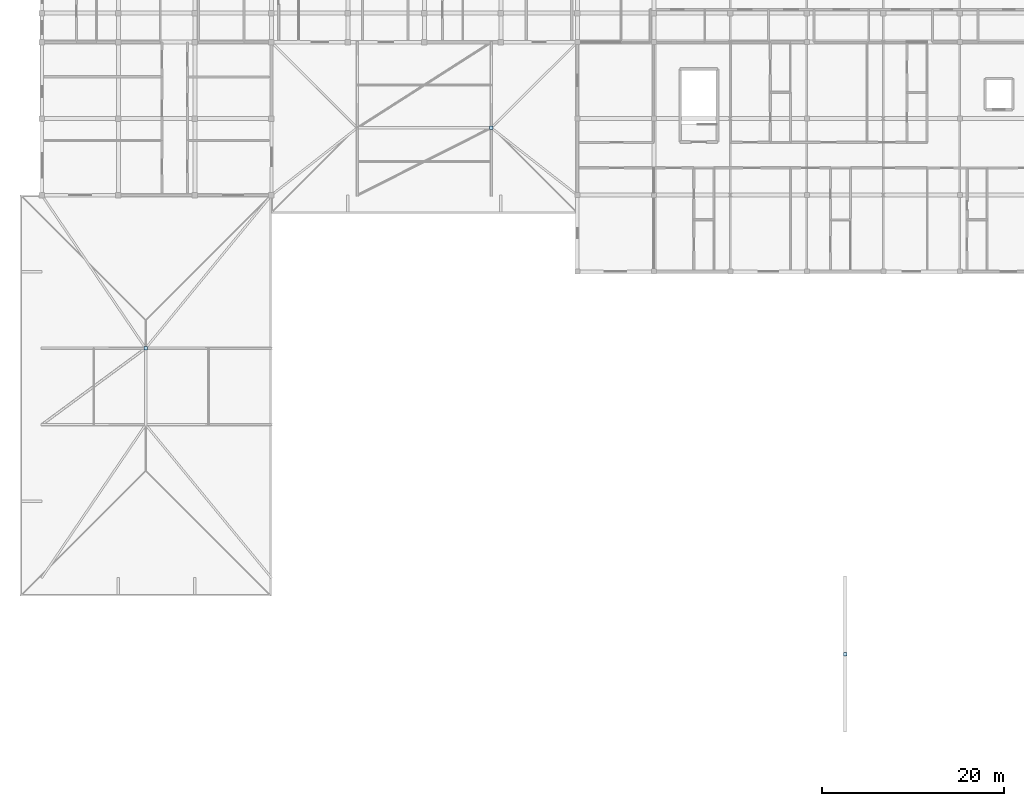
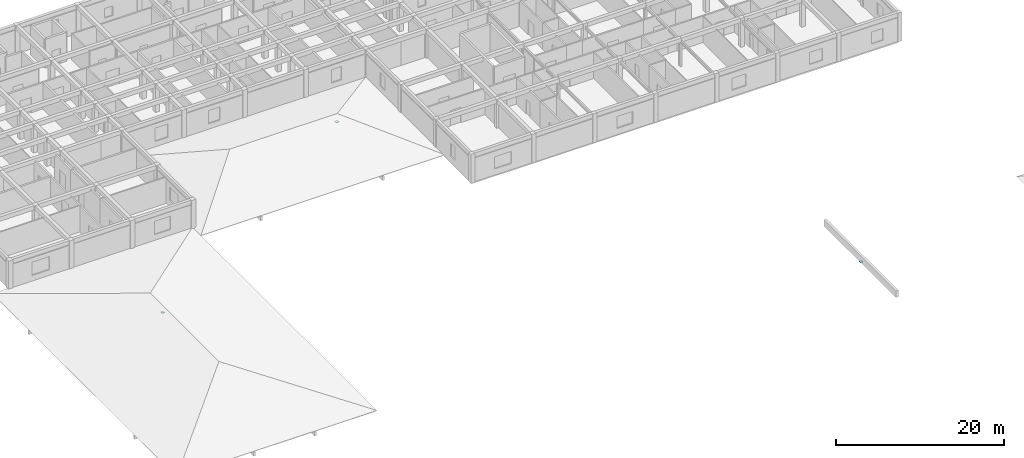
# One storey, part 12 of 42: 3 plates.
"""IFC4 building model written with IfcOpenShell, lengths in metres."""

from ifc_helpers import new_model, si_unit, direction, frame, origin, origin_2d, place, context, subcontext, project, spatial, rectangle, extrude, material, layer, layer_set, type_object, element, save


model = new_model("IFC4")

# Units and contexts
model_context = context("Model", 3, precision=1e-05, world=origin(), true_north=direction((0.0, 1.0)))
body_context = subcontext(model_context, "Body", "Model", "MODEL_VIEW")
ifc_project = project(units=[si_unit("LENGTHUNIT", "METRE"), si_unit("AREAUNIT", "SQUARE_METRE"), si_unit("VOLUMEUNIT", "CUBIC_METRE"), si_unit("PLANEANGLEUNIT", "RADIAN"), si_unit("MASSUNIT", "GRAM", prefix="KILO")], contexts=[model_context])

# Site, building, storey
site_placement = place(None, origin())
site = spatial("IfcSite", under=ifc_project, at=site_placement, CompositionType="ELEMENT")
building_placement = place(site_placement, origin())
building = spatial("IfcBuilding", under=site, at=building_placement, Name="Varncliffe General Hospital", CompositionType="ELEMENT")
storey_placement = place(building_placement, frame((0.0, 0.0, 20.39990234375)))
storey = spatial("IfcBuildingStorey", under=building, at=storey_placement, Name="L04", CompositionType="ELEMENT", Elevation=20.39990234375)

# Plates
ifc_material = material(Name="Steel S355 (CSA G40.21 350W)", Category="steel")
ifc_layer_1 = layer(ifc_material, 0.01611328125)
ifc_layer_set_1 = layer_set([ifc_layer_1], Name="Steel S355 (CSA G40.21 350W)")
plate_type_1 = type_object("IfcPlateType", Name="Steel Gusset and End Plate GP14 (16mm)", PredefinedType="SHEET", material=ifc_layer_set_1)
plate_1_placement = place(storey_placement, frame((88.199951171875, 32.39990234375, 3.564208984375), z_axis=(0.0, 0.0, 1.0), x_axis=(1.0, 0.0, 0.0)))
element("IfcPlate", 1, at=plate_1_placement, inside=storey, type_object=plate_type_1, Name="L04 RF-V1-MAIN Lateral Brace Gusset Plate 1", PredefinedType="SHEET", context=body_context, shape_type="SweptSolid", body=[
    extrude(rectangle(XDim=0.3798828125, YDim=0.3798828125, at=origin_2d()), origin(), (0.0, 0.0, 1.0), 0.01611328125),
])
ifc_layer_2 = layer(ifc_material, 0.031982421875)
ifc_layer_set_2 = layer_set([ifc_layer_2], Name="Steel S355 (CSA G40.21 350W)")
plate_type_2 = type_object("IfcPlateType", Name="Steel Gusset and End Plate GP16 (32mm)", PredefinedType="SHEET", material=ifc_layer_set_2)
plate_2_placement = place(storey_placement, frame((49.35009765625, 90.199951171875, 2.4853515625), z_axis=(0.0, 0.0, 1.0), x_axis=(1.0, 0.0, 0.0)))
element("IfcPlate", 2, at=plate_2_placement, inside=storey, type_object=plate_type_2, Name="L04 RF-V3-N Lateral Brace Gusset Plate 1", PredefinedType="SHEET", context=body_context, shape_type="SweptSolid", body=[
    extrude(rectangle(XDim=0.39990234375, YDim=0.39990234375, at=origin_2d()), origin(), (0.0, 0.0, 1.0), 0.031982421875),
])
ifc_layer_3 = layer(ifc_material, 0.02392578125)
ifc_layer_set_3 = layer_set([ifc_layer_3], Name="Steel S355 (CSA G40.21 350W)")
plate_type_3 = type_object("IfcPlateType", Name="Steel Gusset and End Plate GP25 (24mm)", PredefinedType="SHEET", material=ifc_layer_set_3)
plate_3_placement = place(storey_placement, frame((11.39990234375, 66.0, 2.678955078125), z_axis=(0.0, 0.0, 1.0), x_axis=(1.0, 0.0, 0.0)))
element("IfcPlate", 3, at=plate_3_placement, inside=storey, type_object=plate_type_3, Name="L04 RF-V3-W Lateral Brace Gusset Plate 1", PredefinedType="SHEET", context=body_context, shape_type="SweptSolid", body=[
    extrude(rectangle(XDim=0.3798828125, YDim=0.3798828125, at=origin_2d()), origin(), (0.0, 0.0, 1.0), 0.02392578125),
])

save(model, "model.ifc")
